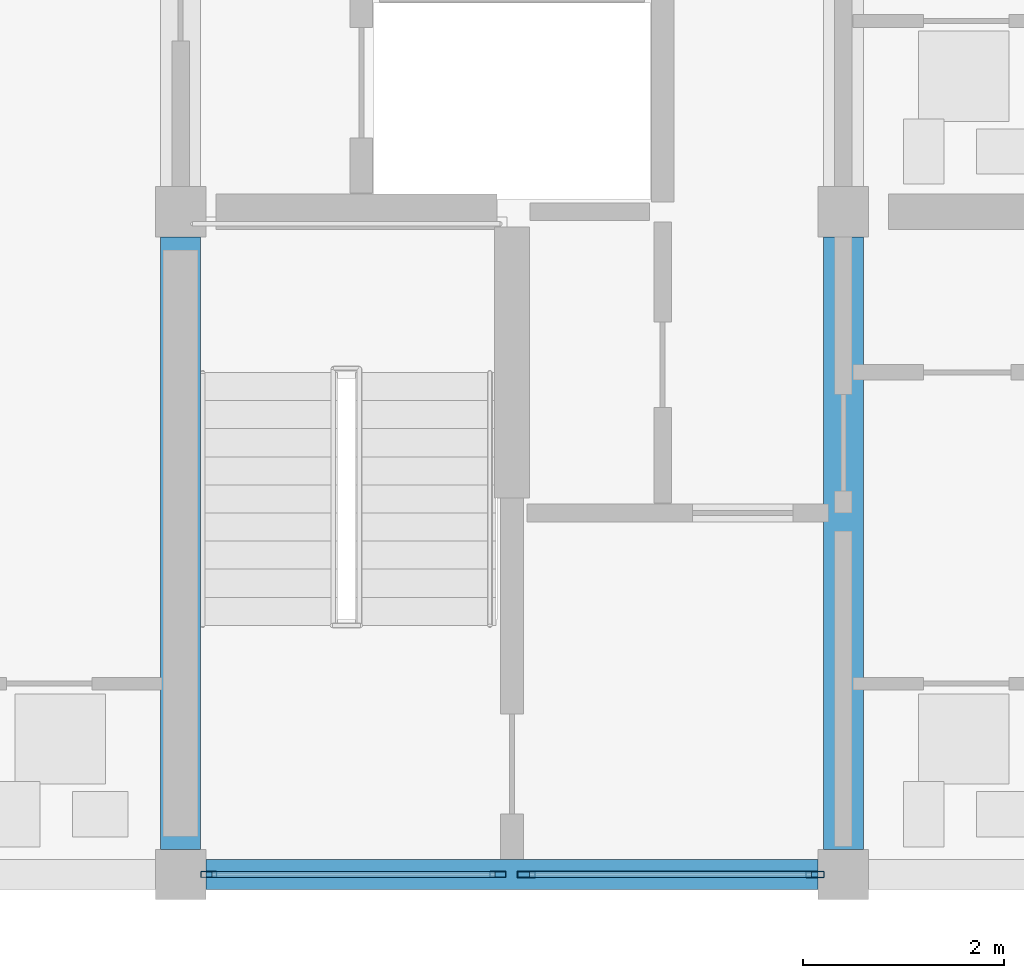
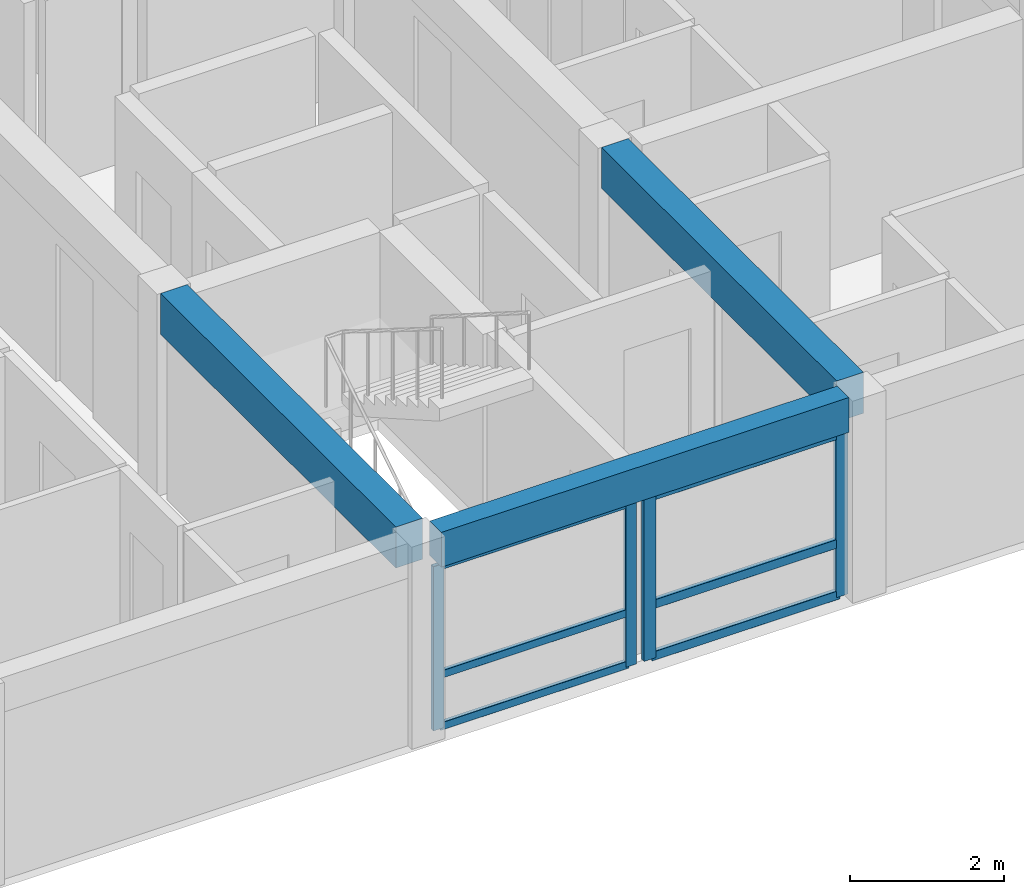
# One storey, part 11 of 52: 10 members, 3 beams, 2 elements without a shape of their own.
"""IFC4 building model written with IfcOpenShell, lengths in metres."""

from ifc_helpers import new_model, si_unit, direction, frame, origin, origin_2d, place, context, subcontext, project, spatial, rectangle, hollow_rectangle, extrude, material, material_profile, profile_set, type_object, element, aggregate, save


model = new_model("IFC4")

# Units and contexts
model_context = context("Model", 3, precision=1e-05, world=origin(), true_north=direction((0.0, 1.0)))
body_context = subcontext(model_context, "Body", "Model", "MODEL_VIEW")
ifc_project = project(units=[si_unit("LENGTHUNIT", "METRE"), si_unit("AREAUNIT", "SQUARE_METRE"), si_unit("VOLUMEUNIT", "CUBIC_METRE"), si_unit("PLANEANGLEUNIT", "RADIAN"), si_unit("MASSUNIT", "GRAM", prefix="KILO")], contexts=[model_context])

# Site, building, storey
site_placement = place(None, origin())
site = spatial("IfcSite", under=ifc_project, at=site_placement, CompositionType="ELEMENT")
building_placement = place(site_placement, origin())
building = spatial("IfcBuilding", under=site, at=building_placement, Name="Kernevlak Ridge Housing Community", CompositionType="ELEMENT")
storey_placement = place(building_placement, frame((0.0, 0.0, 11.60009765625)))
storey = spatial("IfcBuildingStorey", under=building, at=storey_placement, Name="L03", CompositionType="ELEMENT", Elevation=11.60009765625)

# Beams
ifc_material_1 = material(Name="Concrete C35/45", Category="concrete")
ifc_material_profile_1 = material_profile(ifc_material_1, rectangle(XDim=0.39990234375, YDim=0.64990234375, at=origin_2d()), Name="RC 400x650")
ifc_profile_set_1 = profile_set([ifc_material_profile_1], Name="Concrete C35/45")
beam_type_1 = type_object("IfcBeamType", Name="B-03", PredefinedType="T_BEAM", material=ifc_profile_set_1)
for number, where, z_axis, x_axis, name in (
    (1, (132.60009765625, 15.85009765625, 2.875), (0.0, 1.0, 0.0), (-1.0, 0.0, 0.0), "Beam B-03 L03 1072"),
    (2, (139.199951171875, 15.85009765625, 2.875), (0.0, 1.0, 0.0), (-1.0, 0.0, 0.0), "Beam B-03 L03 1076"),
):
    element("IfcBeam", number, at=place(storey_placement, frame(where, z_axis=z_axis, x_axis=x_axis)), inside=storey, type_object=beam_type_1, Name=name, PredefinedType="T_BEAM", context=body_context, shape_type="SweptSolid", body=[
        extrude(rectangle(XDim=0.39990234375, YDim=0.64990234375, at=origin_2d()), origin(), (0.0, 0.0, 1.0), 6.099853515625),
    ])

# Curtain wall, members
ifc_material_2 = material(Name="Aluminium EN AW-6060 anodised and laminated glass", Category="aluminium")
curtain_wall_type_1 = type_object("IfcCurtainWallType", Name="CW-07", PredefinedType="NOTDEFINED", material=ifc_material_2)
curtain_wall_1_placement = place(storey_placement, origin())
curtain_wall_1 = element("IfcCurtainWall", 3, at=curtain_wall_1_placement, inside=storey, type_object=curtain_wall_type_1, Name="Curtain wall CW-07 CW-L03-109", PredefinedType="NOTDEFINED")
ifc_material_3 = material(Name="Aluminium EN AW-6060 anodised", Category="aluminium")
ifc_material_profile_2 = material_profile(ifc_material_3, hollow_rectangle(XDim=0.06005859375, YDim=0.159912109375, WallThickness=0.00390625, InnerFilletRadius=0.001953125, OuterFilletRadius=0.00390625, at=origin_2d()), Name="ALU 60x160x4")
ifc_profile_set_2 = profile_set([ifc_material_profile_2], Name="Aluminium EN AW-6060 anodised")
member_type_1 = type_object("IfcMemberType", Name="MU-02", PredefinedType="MULLION", material=ifc_profile_set_2)
member_1_placement = place(storey_placement, frame((132.8798828125, 15.60009765625, 0.0), z_axis=(0.0, 0.0, 1.0), x_axis=(0.0, 1.0, 0.0)))
member_1 = element("IfcMember", 4, at=member_1_placement, type_object=member_type_1, Name="CW-07 mullion 1", PredefinedType="MULLION", context=body_context, shape_type="SweptSolid", body=[
    extrude(hollow_rectangle(XDim=0.06005859375, YDim=0.159912109375, WallThickness=0.00390625, InnerFilletRadius=0.001953125, OuterFilletRadius=0.00390625, at=origin_2d()), origin(), (0.0, 0.0, 1.0), 2.599853515625),
])
member_2_placement = place(storey_placement, frame((135.760009765625, 15.60009765625, 0.0), z_axis=(0.0, 0.0, 1.0), x_axis=(0.0, 1.0, 0.0)))
member_2 = element("IfcMember", 5, at=member_2_placement, type_object=member_type_1, Name="CW-07 mullion 2", PredefinedType="MULLION", context=body_context, shape_type="SweptSolid", body=[
    extrude(hollow_rectangle(XDim=0.06005859375, YDim=0.159912109375, WallThickness=0.00390625, InnerFilletRadius=0.001953125, OuterFilletRadius=0.00390625, at=origin_2d()), origin(), (0.0, 0.0, 1.0), 2.599853515625),
])

curtain_wall_type_2 = type_object("IfcCurtainWallType", Name="CW-13", PredefinedType="NOTDEFINED", material=ifc_material_2)
curtain_wall_2_placement = place(storey_placement, origin())
curtain_wall_2 = element("IfcCurtainWall", 6, at=curtain_wall_2_placement, inside=storey, type_object=curtain_wall_type_2, Name="Curtain wall CW-13 CW-L03-110", PredefinedType="NOTDEFINED")
ifc_material_profile_3 = material_profile(ifc_material_3, hollow_rectangle(XDim=0.06494140625, YDim=0.179931640625, WallThickness=0.00439453125, InnerFilletRadius=0.001953125, OuterFilletRadius=0.00439453125, at=origin_2d()), Name="ALU 65x180x4.5")
ifc_profile_set_3 = profile_set([ifc_material_profile_3], Name="Aluminium EN AW-6060 anodised")
member_type_2 = type_object("IfcMemberType", Name="MU-03", PredefinedType="MULLION", material=ifc_profile_set_3)
member_3_placement = place(storey_placement, frame((136.04248046875, 15.60009765625, 0.0), z_axis=(0.0, 0.0, 1.0), x_axis=(0.0, 1.0, 0.0)))
member_3 = element("IfcMember", 7, at=member_3_placement, type_object=member_type_2, Name="CW-13 mullion 1", PredefinedType="MULLION", context=body_context, shape_type="SweptSolid", body=[
    extrude(hollow_rectangle(XDim=0.06494140625, YDim=0.179931640625, WallThickness=0.00439453125, InnerFilletRadius=0.001953125, OuterFilletRadius=0.00439453125, at=origin_2d()), origin(), (0.0, 0.0, 1.0), 2.599853515625),
])
member_4_placement = place(storey_placement, frame((138.91748046875, 15.60009765625, 0.0), z_axis=(0.0, 0.0, 1.0), x_axis=(0.0, 1.0, 0.0)))
member_4 = element("IfcMember", 8, at=member_4_placement, type_object=member_type_2, Name="CW-13 mullion 2", PredefinedType="MULLION", context=body_context, shape_type="SweptSolid", body=[
    extrude(hollow_rectangle(XDim=0.06494140625, YDim=0.179931640625, WallThickness=0.00439453125, InnerFilletRadius=0.001953125, OuterFilletRadius=0.00439453125, at=origin_2d()), origin(), (0.0, 0.0, 1.0), 2.599853515625),
])

# Beam
ifc_material_profile_4 = material_profile(ifc_material_1, rectangle(XDim=0.300048828125, YDim=0.550048828125, at=origin_2d()), Name="RC 300x550")
ifc_profile_set_4 = profile_set([ifc_material_profile_4], Name="Concrete C35/45")
beam_type_2 = type_object("IfcBeamType", Name="SP-01", PredefinedType="SPANDREL", material=ifc_profile_set_4)
beam_placement = place(storey_placement, frame((132.85009765625, 15.60009765625, 2.9248046875), z_axis=(1.0, 0.0, 0.0), x_axis=(0.0, 1.0, 0.0)))
element("IfcBeam", 9, at=beam_placement, inside=storey, type_object=beam_type_2, Name="Beam SP-01 L03 1085", PredefinedType="SPANDREL", context=body_context, shape_type="SweptSolid", body=[
    extrude(rectangle(XDim=0.300048828125, YDim=0.550048828125, at=origin_2d()), origin(), (0.0, 0.0, 1.0), 6.099853515625),
])

# Member
ifc_material_profile_5 = material_profile(ifc_material_3, hollow_rectangle(XDim=0.06005859375, YDim=0.1201171875, WallThickness=0.00390625, InnerFilletRadius=0.001953125, OuterFilletRadius=0.00390625, at=origin_2d()), Name="ALU 60x120x4")
ifc_profile_set_5 = profile_set([ifc_material_profile_5], Name="Aluminium EN AW-6060 anodised")
member_type_3 = type_object("IfcMemberType", Name="TM-02", PredefinedType="USERDEFINED", material=ifc_profile_set_5)
member_5_placement = place(storey_placement, frame((132.909912109375, 15.60009765625, 0.02978515625), z_axis=(1.0, 0.0, 0.0), x_axis=(0.0, 1.0, 0.0)))
member_5 = element("IfcMember", 10, at=member_5_placement, type_object=member_type_3, Name="CW-07 transom 1.1", ObjectType="TRANSOM", PredefinedType="USERDEFINED", context=body_context, shape_type="SweptSolid", body=[
    extrude(hollow_rectangle(XDim=0.06005859375, YDim=0.1201171875, WallThickness=0.00390625, InnerFilletRadius=0.001953125, OuterFilletRadius=0.00390625, at=origin_2d()), origin(), (0.0, 0.0, 1.0), 2.820068359375),
])

member_6_placement = place(storey_placement, frame((132.909912109375, 15.60009765625, 0.849853515625), z_axis=(1.0, 0.0, 0.0), x_axis=(0.0, 1.0, 0.0)))
member_6 = element("IfcMember", 11, at=member_6_placement, type_object=member_type_3, Name="CW-07 transom 1.2", ObjectType="TRANSOM", PredefinedType="USERDEFINED", context=body_context, shape_type="SweptSolid", body=[
    extrude(hollow_rectangle(XDim=0.06005859375, YDim=0.1201171875, WallThickness=0.00390625, InnerFilletRadius=0.001953125, OuterFilletRadius=0.00390625, at=origin_2d()), origin(), (0.0, 0.0, 1.0), 2.820068359375),
])

member_7_placement = place(storey_placement, frame((132.909912109375, 15.60009765625, 2.56982421875), z_axis=(1.0, 0.0, 0.0), x_axis=(0.0, 1.0, 0.0)))
member_7 = element("IfcMember", 12, at=member_7_placement, type_object=member_type_3, Name="CW-07 transom 1.3", ObjectType="TRANSOM", PredefinedType="USERDEFINED", context=body_context, shape_type="SweptSolid", body=[
    extrude(hollow_rectangle(XDim=0.06005859375, YDim=0.1201171875, WallThickness=0.00390625, InnerFilletRadius=0.001953125, OuterFilletRadius=0.00390625, at=origin_2d()), origin(), (0.0, 0.0, 1.0), 2.820068359375),
])

aggregate(curtain_wall_1, [member_1, member_2, member_5, member_6, member_7])

ifc_material_profile_6 = material_profile(ifc_material_3, hollow_rectangle(XDim=0.06494140625, YDim=0.139892578125, WallThickness=0.00390625, InnerFilletRadius=0.001953125, OuterFilletRadius=0.00390625, at=origin_2d()), Name="ALU 65x140x4")
ifc_profile_set_6 = profile_set([ifc_material_profile_6], Name="Aluminium EN AW-6060 anodised")
member_type_4 = type_object("IfcMemberType", Name="TM-03", PredefinedType="USERDEFINED", material=ifc_profile_set_6)
member_8_placement = place(storey_placement, frame((136.074951171875, 15.60009765625, 0.032470703125), z_axis=(1.0, 0.0, 0.0), x_axis=(0.0, 1.0, 0.0)))
member_8 = element("IfcMember", 13, at=member_8_placement, type_object=member_type_4, Name="CW-13 transom 1.1", ObjectType="TRANSOM", PredefinedType="USERDEFINED", context=body_context, shape_type="SweptSolid", body=[
    extrude(hollow_rectangle(XDim=0.06494140625, YDim=0.139892578125, WallThickness=0.00390625, InnerFilletRadius=0.001953125, OuterFilletRadius=0.00390625, at=origin_2d()), origin(), (0.0, 0.0, 1.0), 2.81005859375),
])

member_9_placement = place(storey_placement, frame((136.074951171875, 15.60009765625, 0.849853515625), z_axis=(1.0, 0.0, 0.0), x_axis=(0.0, 1.0, 0.0)))
member_9 = element("IfcMember", 14, at=member_9_placement, type_object=member_type_4, Name="CW-13 transom 1.2", ObjectType="TRANSOM", PredefinedType="USERDEFINED", context=body_context, shape_type="SweptSolid", body=[
    extrude(hollow_rectangle(XDim=0.06494140625, YDim=0.139892578125, WallThickness=0.00390625, InnerFilletRadius=0.001953125, OuterFilletRadius=0.00390625, at=origin_2d()), origin(), (0.0, 0.0, 1.0), 2.81005859375),
])

member_10_placement = place(storey_placement, frame((136.074951171875, 15.60009765625, 2.5673828125), z_axis=(1.0, 0.0, 0.0), x_axis=(0.0, 1.0, 0.0)))
member_10 = element("IfcMember", 15, at=member_10_placement, type_object=member_type_4, Name="CW-13 transom 1.3", ObjectType="TRANSOM", PredefinedType="USERDEFINED", context=body_context, shape_type="SweptSolid", body=[
    extrude(hollow_rectangle(XDim=0.06494140625, YDim=0.139892578125, WallThickness=0.00390625, InnerFilletRadius=0.001953125, OuterFilletRadius=0.00390625, at=origin_2d()), origin(), (0.0, 0.0, 1.0), 2.81005859375),
])

aggregate(curtain_wall_2, [member_3, member_4, member_8, member_9, member_10])

save(model, "model.ifc")
